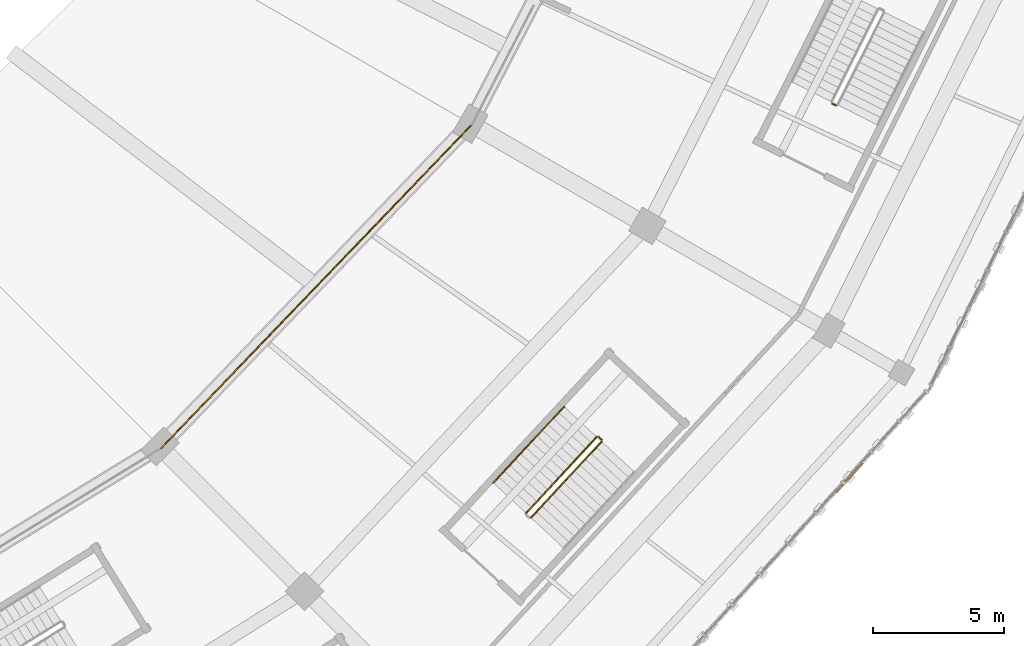
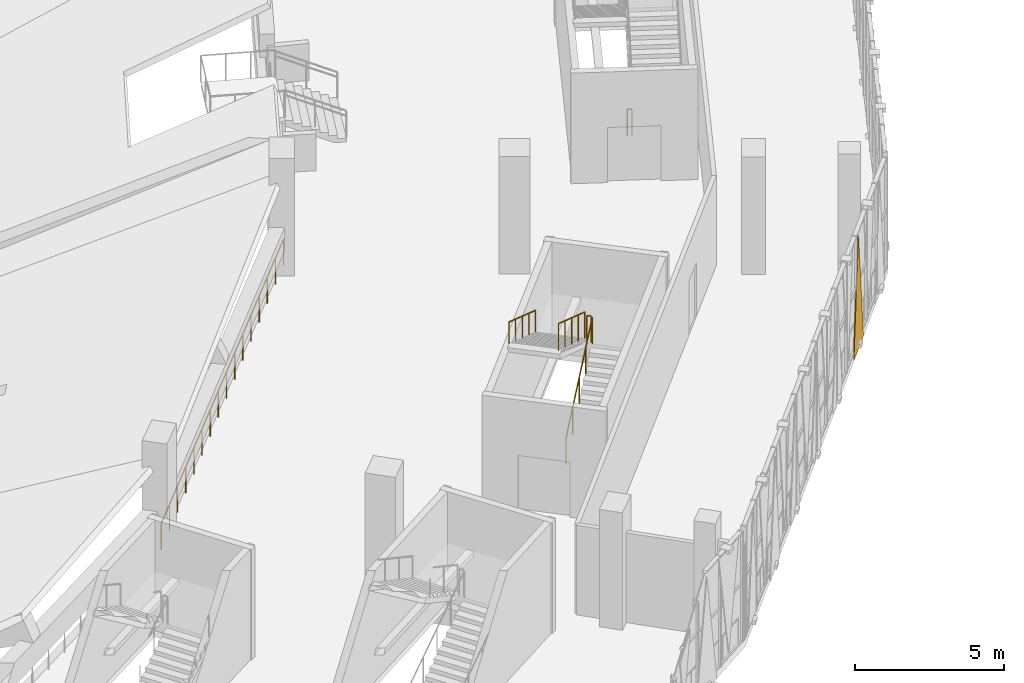
# One storey, part 149 of 183: 6 railings, 1 covering.
"""IFC4 building model written with IfcOpenShell, lengths in metres."""

from ifc_helpers import new_model, si_unit, direction, frame, origin, origin_2d, place, context, subcontext, project, spatial, polyline, circle, outline, extrude, material, layer, layer_set, type_object, element, save


model = new_model("IFC4")

# Units and contexts
model_context = context("Model", 3, precision=1e-05, world=origin(), true_north=direction((0.0, 1.0)))
body_context = subcontext(model_context, "Body", "Model", "MODEL_VIEW")
ifc_project = project(units=[si_unit("LENGTHUNIT", "METRE"), si_unit("AREAUNIT", "SQUARE_METRE"), si_unit("VOLUMEUNIT", "CUBIC_METRE"), si_unit("PLANEANGLEUNIT", "RADIAN"), si_unit("MASSUNIT", "GRAM", prefix="KILO")], contexts=[model_context])

# Site, building, storey
site_placement = place(None, origin())
site = spatial("IfcSite", under=ifc_project, at=site_placement, CompositionType="ELEMENT")
building_placement = place(site_placement, origin())
building = spatial("IfcBuilding", under=site, at=building_placement, Name="Zevraka Park Crest Stadium", CompositionType="ELEMENT")
storey_placement = place(building_placement, frame((0.0, 0.0, 5.39990234375)))
storey = spatial("IfcBuildingStorey", under=building, at=storey_placement, Name="L01", CompositionType="ELEMENT", Elevation=5.39990234375)

# Covering
ifc_material_1 = material(Name="Architectural golden-bronze perforated aluminium", Category="aluminium")
ifc_layer = layer(ifc_material_1, 0.034912109375)
ifc_layer_set = layer_set([ifc_layer], Name="Architectural golden-bronze perforated aluminium")
covering_type = type_object("IfcCoveringType", Name="CLD01", PredefinedType="CLADDING", material=ifc_layer_set)
covering_placement = place(storey_placement, frame((190.512939453125, 48.166015625, -0.260009765625), z_axis=(0.738850371143, -0.673869512184, 9.8032371e-05), x_axis=(0.673869515422, 0.738850374694, 0.0)))
element("IfcCovering", 1, at=covering_placement, inside=storey, type_object=covering_type, Name="Triangular Golden-Bronze Perforated Cladding L01-21-11", PredefinedType="CLADDING", context=body_context, shape_type="SweptSolid", body=[
    extrude(outline(polyline([(0.0, 0.0), (1.4915750454979064, 1.3552527156068805e-20), (0.7453762254372943, 4.600097678354265), (0.0, 0.0)])), origin(), (0.0, 0.0, -1.0), 0.034912109375),
])

# Railings
ifc_material_2 = material(Name="Galvanised and bronze-finished steel balustrade", Category="steel")
railing_type_1 = type_object("IfcRailingType", Name="GR01", PredefinedType="GUARDRAIL", material=ifc_material_2)
railing_1_placement = place(storey_placement, frame((164.720947265625, 49.87109375, 0.0)))
element("IfcRailing", 2, at=railing_1_placement, inside=storey, type_object=railing_type_1, Name="Deck Edge Protection Guardrail GR01 L01-70", PredefinedType="GUARDRAIL", context=body_context, shape_type="SweptSolid", body=[
    extrude(circle(Radius=0.02392578125, at=origin_2d()), frame((0.0, 0.0, 1.076171875), z_axis=(0.692883005773, 0.72105002622, 0.0), x_axis=(-0.72105002622, 0.692883005773, 0.0)), (0.0, 0.0, 1.0), 17.10107421875),
    extrude(circle(Radius=0.02099609375, at=origin_2d()), origin(), (0.0, 0.0, 1.0), 1.052001953125),
    extrude(circle(Radius=0.02099609375, at=origin_2d()), frame((0.7900390625, 0.822021484375, 0.0)), (0.0, 0.0, 1.0), 1.052001953125),
    extrude(circle(Radius=0.02099609375, at=origin_2d()), frame((1.579833984375, 1.64404296875, 0.0)), (0.0, 0.0, 1.0), 1.052001953125),
    extrude(circle(Radius=0.02099609375, at=origin_2d()), frame((2.369873046875, 2.466064453125, 0.0)), (0.0, 0.0, 1.0), 1.052001953125),
    extrude(circle(Radius=0.02099609375, at=origin_2d()), frame((3.15966796875, 3.288330078125, 0.0)), (0.0, 0.0, 1.0), 1.052001953125),
    extrude(circle(Radius=0.02099609375, at=origin_2d()), frame((3.94970703125, 4.1103515625, 0.0)), (0.0, 0.0, 1.0), 1.052001953125),
    extrude(circle(Radius=0.02099609375, at=origin_2d()), frame((4.73974609375, 4.932373046875, 0.0)), (0.0, 0.0, 1.0), 1.052001953125),
    extrude(circle(Radius=0.02099609375, at=origin_2d()), frame((5.529541015625, 5.75439453125, 0.0)), (0.0, 0.0, 1.0), 1.052001953125),
    extrude(circle(Radius=0.02099609375, at=origin_2d()), frame((6.319580078125, 6.576416015625, 0.0)), (0.0, 0.0, 1.0), 1.052001953125),
    extrude(circle(Radius=0.02099609375, at=origin_2d()), frame((7.109375, 7.3984375, 0.0)), (0.0, 0.0, 1.0), 1.052001953125),
    extrude(circle(Radius=0.02099609375, at=origin_2d()), frame((7.8994140625, 8.220458984375, 0.0)), (0.0, 0.0, 1.0), 1.052001953125),
    extrude(circle(Radius=0.02099609375, at=origin_2d()), frame((8.689453125, 9.04248046875, 0.0)), (0.0, 0.0, 1.0), 1.052001953125),
    extrude(circle(Radius=0.02099609375, at=origin_2d()), frame((9.479248046875, 9.86474609375, 0.0)), (0.0, 0.0, 1.0), 1.052001953125),
    extrude(circle(Radius=0.02099609375, at=origin_2d()), frame((10.269287109375, 10.686767578125, 0.0)), (0.0, 0.0, 1.0), 1.052001953125),
    extrude(circle(Radius=0.02099609375, at=origin_2d()), frame((11.05908203125, 11.5087890625, 0.0)), (0.0, 0.0, 1.0), 1.052001953125),
    extrude(circle(Radius=0.02099609375, at=origin_2d()), frame((11.84912109375, 12.330810546875, 0.0)), (0.0, 0.0, 1.0), 1.052001953125),
])
ifc_material_3 = material(Name="Powder-coated tubular steel stairwell guard", Category="steel")
railing_type_2 = type_object("IfcRailingType", Name="GR03", PredefinedType="GUARDRAIL", material=ifc_material_3)
railing_2_placement = place(storey_placement, frame((178.8349609375, 47.212890625, 0.171630859375)))
element("IfcRailing", 3, at=railing_2_placement, inside=storey, type_object=railing_type_2, Name="L01 ST22 stair guard 1", PredefinedType="GUARDRAIL", context=body_context, shape_type="SweptSolid", body=[
    extrude(circle(Radius=0.02392578125, at=origin_2d()), frame((0.0, 0.0, 1.076171875), z_axis=(0.593016024023, 0.638962957094, 0.489957482557), x_axis=(-0.732968909084, 0.680262139412, 0.0)), (0.0, 0.0, 1.0), 4.54833984375),
    extrude(circle(Radius=0.02099609375, at=origin_2d()), origin(), (0.0, 0.0, 1.0), 1.052001953125),
    extrude(circle(Radius=0.02099609375, at=origin_2d()), frame((0.67431640625, 0.7265625, 0.55712890625)), (0.0, 0.0, 1.0), 1.052001953125),
    extrude(circle(Radius=0.02099609375, at=origin_2d()), frame((1.3486328125, 1.453125, 1.1142578125)), (0.0, 0.0, 1.0), 1.052001953125),
    extrude(circle(Radius=0.02099609375, at=origin_2d()), frame((2.02294921875, 2.1796875, 1.67138671875)), (0.0, 0.0, 1.0), 1.052001953125),
    extrude(circle(Radius=0.02099609375, at=origin_2d()), frame((2.697265625, 2.90625, 2.228515625)), (0.0, 0.0, 1.0), 1.052001953125),
])
railing_3_placement = place(storey_placement, frame((181.529541015625, 50.189697265625, 2.400146484375)))
element("IfcRailing", 4, at=railing_3_placement, inside=storey, type_object=railing_type_2, Name="L01 ST22 stair guard 2", PredefinedType="GUARDRAIL", context=body_context, shape_type="SweptSolid", body=[
    extrude(circle(Radius=0.02392578125, at=origin_2d()), frame((0.0, 0.0, 1.076171875), z_axis=(-0.732576022975, 0.680685221348, 0.0), x_axis=(-0.680685221348, -0.732576022975, 0.0)), (0.0, 0.0, 1.0), 0.159912109375),
    extrude(circle(Radius=0.02099609375, at=origin_2d()), origin(), (0.0, 0.0, 1.0), 1.052001953125),
    extrude(circle(Radius=0.02099609375, at=origin_2d()), frame((-0.1171875, 0.10888671875, 0.0)), (0.0, 0.0, 1.0), 1.052001953125),
])
railing_4_placement = place(storey_placement, frame((181.341552734375, 50.2958984375, 2.571533203125)))
element("IfcRailing", 5, at=railing_4_placement, inside=storey, type_object=railing_type_2, Name="L01 ST22 stair guard 3", PredefinedType="GUARDRAIL", context=body_context, shape_type="SweptSolid", body=[
    extrude(circle(Radius=0.02392578125, at=origin_2d()), frame((0.0, 0.0, 1.076171875), z_axis=(-0.593016024023, -0.638962957094, 0.489957482557), x_axis=(0.732968909084, -0.680262139412, 0.0)), (0.0, 0.0, 1.0), 4.54833984375),
    extrude(circle(Radius=0.02099609375, at=origin_2d()), origin(), (0.0, 0.0, 1.0), 1.052001953125),
    extrude(circle(Radius=0.02099609375, at=origin_2d()), frame((-0.67431640625, -0.7265625, 0.55712890625)), (0.0, 0.0, 1.0), 1.052001953125),
    extrude(circle(Radius=0.02099609375, at=origin_2d()), frame((-1.3486328125, -1.453125, 1.1142578125)), (0.0, 0.0, 1.0), 1.052001953125),
    extrude(circle(Radius=0.02099609375, at=origin_2d()), frame((-2.02294921875, -2.1796875, 1.67138671875)), (0.0, 0.0, 1.0), 1.052001953125),
    extrude(circle(Radius=0.02099609375, at=origin_2d()), frame((-2.697265625, -2.90625, 2.228515625)), (0.0, 0.0, 1.0), 1.052001953125),
])
railing_5_placement = place(storey_placement, frame((190.465087890625, 62.942626953125, 0.0)))
element("IfcRailing", 6, at=railing_5_placement, inside=storey, type_object=railing_type_2, Name="L01 ST23 stair guard 4", PredefinedType="GUARDRAIL", context=body_context, shape_type="SweptSolid", body=[
    extrude(circle(Radius=0.02392578125, at=origin_2d()), frame((0.0, 0.0, 1.076171875), z_axis=(-0.893816245171, 0.44843340628, 0.0), x_axis=(-0.44843340628, -0.893816245171, 0.0)), (0.0, 0.0, 1.0), 0.16015625),
    extrude(circle(Radius=0.02099609375, at=origin_2d()), origin(), (0.0, 0.0, 1.0), 1.052001953125),
    extrude(circle(Radius=0.02099609375, at=origin_2d()), frame((-0.14306640625, 0.07177734375, 0.0)), (0.0, 0.0, 1.0), 1.052001953125),
])
ifc_material_4 = material(Name="Brushed stainless steel continuous handrail", Category="steel")
railing_type_3 = type_object("IfcRailingType", Name="HR01", PredefinedType="HANDRAIL", material=ifc_material_4)
railing_6_placement = place(storey_placement, frame((180.095458984375, 51.452392578125, 2.571533203125)))
element("IfcRailing", 7, at=railing_6_placement, inside=storey, type_object=railing_type_3, Name="L01 ST22 stair handrail 2", PredefinedType="HANDRAIL", context=body_context, shape_type="SweptSolid", body=[
    extrude(circle(Radius=0.02392578125, at=origin_2d()), frame((0.0, 0.0, 0.8759765625), z_axis=(-0.593016024023, -0.638962957094, 0.489957482557), x_axis=(0.732968909084, -0.680262139412, 0.0)), (0.0, 0.0, 1.0), 4.54833984375),
    extrude(circle(Radius=0.02099609375, at=origin_2d()), origin(), (0.0, 0.0, 1.0), 0.851806640625),
    extrude(circle(Radius=0.02099609375, at=origin_2d()), frame((-0.67431640625, -0.7265625, 0.55712890625)), (0.0, 0.0, 1.0), 0.851806640625),
    extrude(circle(Radius=0.02099609375, at=origin_2d()), frame((-1.3486328125, -1.453125, 1.1142578125)), (0.0, 0.0, 1.0), 0.851806640625),
    extrude(circle(Radius=0.02099609375, at=origin_2d()), frame((-2.02294921875, -2.1796875, 1.67138671875)), (0.0, 0.0, 1.0), 0.851806640625),
    extrude(circle(Radius=0.02099609375, at=origin_2d()), frame((-2.697265625, -2.90625, 2.228515625)), (0.0, 0.0, 1.0), 0.851806640625),
])

save(model, "model.ifc")
